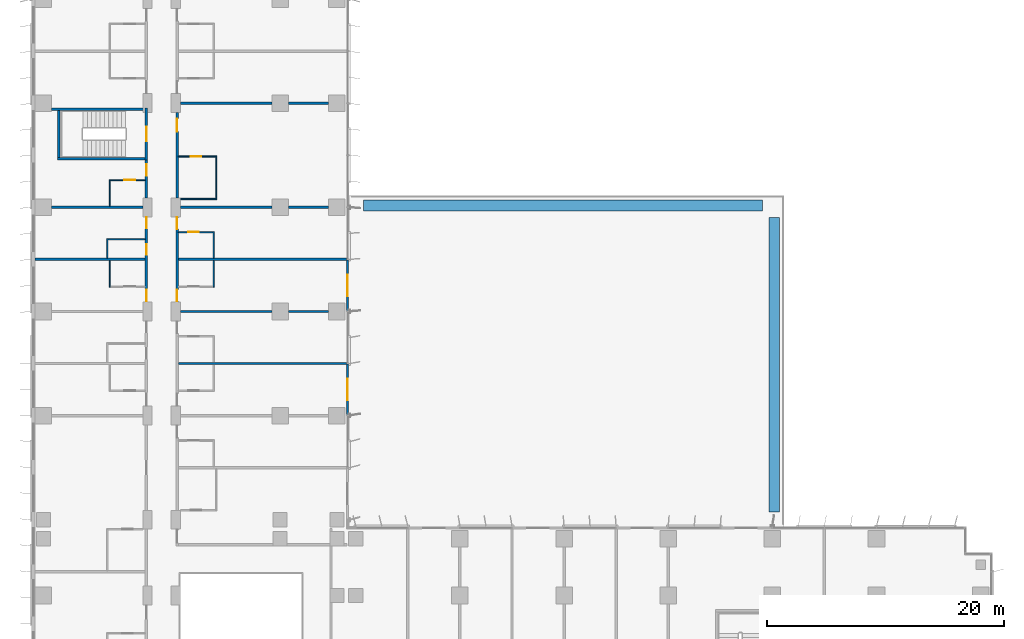
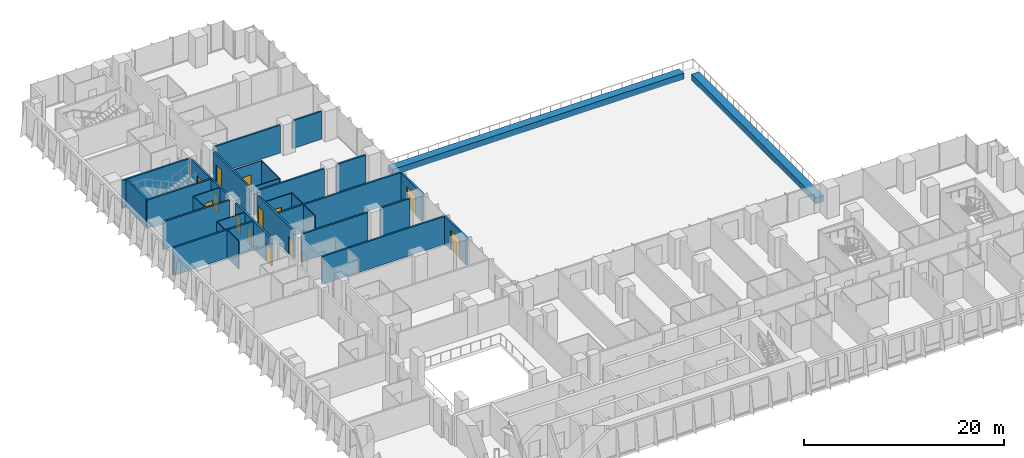
# One storey, part 15 of 23: 33 walls, 13 doors, 13 openings.
"""IFC4 building model written with IfcOpenShell, lengths in metres."""

from ifc_helpers import new_model, si_unit, direction, frame, frame_2d, origin, place, context, subcontext, project, spatial, rectangle, extrude, material, layer, layer_set, type_object, element, fill, save


model = new_model("IFC4")

# Units and contexts
model_context = context("Model", 3, precision=1e-05, world=origin(), true_north=direction((0.0, 1.0)))
body_context = subcontext(model_context, "Body", "Model", "MODEL_VIEW")
ifc_project = project(units=[si_unit("LENGTHUNIT", "METRE"), si_unit("AREAUNIT", "SQUARE_METRE"), si_unit("VOLUMEUNIT", "CUBIC_METRE"), si_unit("PLANEANGLEUNIT", "RADIAN"), si_unit("MASSUNIT", "GRAM", prefix="KILO")], contexts=[model_context])

# Site, building, storey
site_placement = place(None, origin())
site = spatial("IfcSite", under=ifc_project, at=site_placement, CompositionType="ELEMENT")
building_placement = place(site_placement, origin())
building = spatial("IfcBuilding", under=site, at=building_placement, Name="Kemantara Hotel Tower", CompositionType="ELEMENT")
storey_placement = place(building_placement, frame((0.0, 0.0, 34.0)))
storey = spatial("IfcBuildingStorey", under=building, at=storey_placement, Name="L06", CompositionType="ELEMENT", Elevation=34.0)

# Wall, openings, doors
ifc_material_1 = material(Name="Gypsum board partition, steel studs and mineral wool, 200 mm", Category="steel")
ifc_layer_1 = layer(ifc_material_1, 0.199951171875)
ifc_layer_set_1 = layer_set([ifc_layer_1], Name="Gypsum board partition, steel studs and mineral wool, 200 mm")
wall_type_1 = type_object("IfcWallType", Name="CORRIDOR WALL 200", PredefinedType="PARTITIONING", material=ifc_layer_set_1)
wall_1_placement = place(storey_placement, frame((9.699951171875, 45.800048828125, 0.0), z_axis=(0.0, 0.0, 1.0), x_axis=(0.0, 1.0, 0.0)))
wall_1 = element("IfcWall", 1, at=wall_1_placement, inside=storey, type_object=wall_type_1, Name="CORRIDOR WALL 200 035", PredefinedType="PARTITIONING", context=body_context, shape_type="SweptSolid", body=[
    extrude(rectangle(XDim=7.199951171875, YDim=0.199951171875, at=frame_2d((3.60009765625, 0.0))), origin(), (0.0, 0.0, 1.0), 3.39990234375),
])
opening_1_placement = place(wall_1_placement, frame((0.0498046875, 0.0, 0.0)))
opening_1 = element("IfcOpeningElement", 2, at=opening_1_placement, cuts=wall_1, Name="Opening F01-045", PredefinedType="OPENING", context=body_context, shape_type="SweptSolid", body=[
    extrude(rectangle(XDim=1.0, YDim=2.10009765625, at=frame_2d((0.5, 1.050048828125))), frame((0.0, 0.10986328125, 0.0), z_axis=(0.0, -1.0, 0.0), x_axis=(1.0, 0.0, 0.0)), (0.0, 0.0, 1.0), 0.219970703125),
])
opening_2_placement = place(wall_1_placement, frame((6.25, 0.0, 0.0)))
opening_2 = element("IfcOpeningElement", 3, at=opening_2_placement, cuts=wall_1, Name="Opening F01-047", PredefinedType="OPENING", context=body_context, shape_type="SweptSolid", body=[
    extrude(rectangle(XDim=0.89990234375, YDim=2.10009765625, at=frame_2d((0.449951171875, 1.050048828125))), frame((0.0, 0.10986328125, 0.0), z_axis=(0.0, -1.0, 0.0), x_axis=(1.0, 0.0, 0.0)), (0.0, 0.0, 1.0), 0.219970703125),
])
opening_3_placement = place(wall_1_placement, frame((4.0, 0.0, 0.0)))
opening_3 = element("IfcOpeningElement", 4, at=opening_3_placement, cuts=wall_1, Name="Opening F01-048", PredefinedType="OPENING", context=body_context, shape_type="SweptSolid", body=[
    extrude(rectangle(XDim=0.89990234375, YDim=2.10009765625, at=frame_2d((0.449951171875, 1.050048828125))), frame((0.0, 0.10986328125, 0.0), z_axis=(0.0, -1.0, 0.0), x_axis=(1.0, 0.0, 0.0)), (0.0, 0.0, 1.0), 0.219970703125),
])
ifc_material_2 = material(Name="Hardwood veneer door leaf with steel frame", Category="steel")
door_type_1 = type_object("IfcDoorType", Name="GUEST ROOM DOOR 1000 X 2100 FD30S", OperationType="NOTDEFINED", PredefinedType="DOOR", material=ifc_material_2)
door_1_placement = place(opening_1_placement, origin())
door_1 = element("IfcDoor", 5, at=door_1_placement, inside=storey, type_object=door_type_1, Name="GUEST ROOM DOOR F01-045", OperationType="SINGLE_SWING_LEFT", OverallHeight=2.10009765625, OverallWidth=1.0, PredefinedType="DOOR", context=body_context, shape_type="SweptSolid", body=[
    extrude(rectangle(XDim=1.0, YDim=2.10009765625, at=frame_2d((0.5, 1.050048828125))), frame((0.0, 0.02490234375, 0.0), z_axis=(0.0, -1.0, 0.0), x_axis=(1.0, 0.0, 0.0)), (0.0, 0.0, 1.0), 0.050048828125),
])
fill(opening_1, door_1)
ifc_material_3 = material(Name="Steel door leaf with steel frame", Category="steel")
door_type_2 = type_object("IfcDoorType", Name="SERVICE ROOM DOOR 900 X 2100 FD60", OperationType="NOTDEFINED", PredefinedType="DOOR", material=ifc_material_3)
door_2_placement = place(opening_2_placement, origin())
door_2 = element("IfcDoor", 6, at=door_2_placement, inside=storey, type_object=door_type_2, Name="SERVICE ROOM DOOR F01-047", OperationType="SINGLE_SWING_RIGHT", OverallHeight=2.10009765625, OverallWidth=0.89990234375, PredefinedType="DOOR", context=body_context, shape_type="SweptSolid", body=[
    extrude(rectangle(XDim=0.89990234375, YDim=2.10009765625, at=frame_2d((0.449951171875, 1.050048828125))), frame((0.0, 0.02490234375, 0.0), z_axis=(0.0, -1.0, 0.0), x_axis=(1.0, 0.0, 0.0)), (0.0, 0.0, 1.0), 0.050048828125),
])
fill(opening_2, door_2)
door_3_placement = place(opening_3_placement, origin())
door_3 = element("IfcDoor", 7, at=door_3_placement, inside=storey, type_object=door_type_2, Name="SERVICE ROOM DOOR F01-048", OperationType="SINGLE_SWING_LEFT", OverallHeight=2.10009765625, OverallWidth=0.89990234375, PredefinedType="DOOR", context=body_context, shape_type="SweptSolid", body=[
    extrude(rectangle(XDim=0.89990234375, YDim=2.10009765625, at=frame_2d((0.449951171875, 1.050048828125))), frame((0.0, 0.02490234375, 0.0), z_axis=(0.0, -1.0, 0.0), x_axis=(1.0, 0.0, 0.0)), (0.0, 0.0, 1.0), 0.050048828125),
])
fill(opening_3, door_3)

# Wall, opening, door
wall_2_placement = place(storey_placement, frame((9.699951171875, 54.60009765625, 0.0), z_axis=(0.0, 0.0, 1.0), x_axis=(0.0, 1.0, 0.0)))
wall_2 = element("IfcWall", 8, at=wall_2_placement, inside=storey, type_object=wall_type_1, Name="CORRIDOR WALL 200 036", PredefinedType="PARTITIONING", context=body_context, shape_type="SweptSolid", body=[
    extrude(rectangle(XDim=3.199951171875, YDim=0.199951171875, at=frame_2d((1.60009765625, 0.0))), origin(), (0.0, 0.0, 1.0), 3.39990234375),
])
opening_4_placement = place(wall_2_placement, frame((1.849853515625, 0.0, 0.0)))
opening_4 = element("IfcOpeningElement", 9, at=opening_4_placement, cuts=wall_2, Name="Opening F01-049", PredefinedType="OPENING", context=body_context, shape_type="SweptSolid", body=[
    extrude(rectangle(XDim=1.0, YDim=2.10009765625, at=frame_2d((0.5, 1.050048828125))), frame((0.0, 0.10986328125, 0.0), z_axis=(0.0, -1.0, 0.0), x_axis=(1.0, 0.0, 0.0)), (0.0, 0.0, 1.0), 0.219970703125),
])
door_4_placement = place(opening_4_placement, origin())
door_4 = element("IfcDoor", 10, at=door_4_placement, inside=storey, type_object=door_type_1, Name="GUEST ROOM DOOR F01-049", OperationType="SINGLE_SWING_RIGHT", OverallHeight=2.10009765625, OverallWidth=1.0, PredefinedType="DOOR", context=body_context, shape_type="SweptSolid", body=[
    extrude(rectangle(XDim=1.0, YDim=2.10009765625, at=frame_2d((0.5, 1.050048828125))), frame((0.0, 0.02490234375, 0.0), z_axis=(0.0, -1.0, 0.0), x_axis=(1.0, 0.0, 0.0)), (0.0, 0.0, 1.0), 0.050048828125),
])
fill(opening_4, door_4)

# Wall, openings, doors
wall_3_placement = place(storey_placement, frame((12.300048828125, 53.0, 0.0), z_axis=(0.0, 0.0, 1.0), x_axis=(0.0, -1.0, 0.0)))
wall_3 = element("IfcWall", 11, at=wall_3_placement, inside=storey, type_object=wall_type_1, Name="CORRIDOR WALL 200 059", PredefinedType="PARTITIONING", context=body_context, shape_type="SweptSolid", body=[
    extrude(rectangle(XDim=7.199951171875, YDim=0.199951171875, at=frame_2d((3.60009765625, 0.0))), origin(), (0.0, 0.0, 1.0), 3.39990234375),
])
opening_5_placement = place(wall_3_placement, frame((6.14990234375, 0.0, 0.0)))
opening_5 = element("IfcOpeningElement", 12, at=opening_5_placement, cuts=wall_3, Name="Opening F01-065", PredefinedType="OPENING", context=body_context, shape_type="SweptSolid", body=[
    extrude(rectangle(XDim=1.0, YDim=2.10009765625, at=frame_2d((0.5, 1.050048828125))), frame((0.0, 0.10986328125, 0.0), z_axis=(0.0, -1.0, 0.0), x_axis=(1.0, 0.0, 0.0)), (0.0, 0.0, 1.0), 0.219970703125),
])
opening_6_placement = place(wall_3_placement, frame((0.0498046875, 0.0, 0.0)))
opening_6 = element("IfcOpeningElement", 13, at=opening_6_placement, cuts=wall_3, Name="Opening F01-067", PredefinedType="OPENING", context=body_context, shape_type="SweptSolid", body=[
    extrude(rectangle(XDim=1.0, YDim=2.10009765625, at=frame_2d((0.5, 1.050048828125))), frame((0.0, 0.10986328125, 0.0), z_axis=(0.0, -1.0, 0.0), x_axis=(1.0, 0.0, 0.0)), (0.0, 0.0, 1.0), 0.219970703125),
])
door_5_placement = place(opening_5_placement, origin())
door_5 = element("IfcDoor", 14, at=door_5_placement, inside=storey, type_object=door_type_1, Name="GUEST ROOM DOOR F01-065", OperationType="SINGLE_SWING_RIGHT", OverallHeight=2.10009765625, OverallWidth=1.0, PredefinedType="DOOR", context=body_context, shape_type="SweptSolid", body=[
    extrude(rectangle(XDim=1.0, YDim=2.10009765625, at=frame_2d((0.5, 1.050048828125))), frame((0.0, 0.02490234375, 0.0), z_axis=(0.0, -1.0, 0.0), x_axis=(1.0, 0.0, 0.0)), (0.0, 0.0, 1.0), 0.050048828125),
])
fill(opening_5, door_5)
door_6_placement = place(opening_6_placement, origin())
door_6 = element("IfcDoor", 15, at=door_6_placement, inside=storey, type_object=door_type_1, Name="GUEST ROOM DOOR F01-067", OperationType="SINGLE_SWING_LEFT", OverallHeight=2.10009765625, OverallWidth=1.0, PredefinedType="DOOR", context=body_context, shape_type="SweptSolid", body=[
    extrude(rectangle(XDim=1.0, YDim=2.10009765625, at=frame_2d((0.5, 1.050048828125))), frame((0.0, 0.02490234375, 0.0), z_axis=(0.0, -1.0, 0.0), x_axis=(1.0, 0.0, 0.0)), (0.0, 0.0, 1.0), 0.050048828125),
])
fill(opening_6, door_6)

# Wall, opening, door
wall_4_placement = place(storey_placement, frame((12.300048828125, 61.7998046875, 0.0), z_axis=(0.0, 0.0, 1.0), x_axis=(0.0, -1.0, 0.0)))
wall_4 = element("IfcWall", 16, at=wall_4_placement, inside=storey, type_object=wall_type_1, Name="CORRIDOR WALL 200 060", PredefinedType="PARTITIONING", context=body_context, shape_type="SweptSolid", body=[
    extrude(rectangle(XDim=7.19970703125, YDim=0.199951171875, at=frame_2d((3.599853515625, 0.0))), origin(), (0.0, 0.0, 1.0), 3.39990234375),
])
opening_7_placement = place(wall_4_placement, frame((0.5, 0.0, 0.0)))
opening_7 = element("IfcOpeningElement", 17, at=opening_7_placement, cuts=wall_4, Name="Opening F01-069", PredefinedType="OPENING", context=body_context, shape_type="SweptSolid", body=[
    extrude(rectangle(XDim=1.10009765625, YDim=2.10009765625, at=frame_2d((0.550048828125, 1.050048828125))), frame((0.0, 0.10986328125, 0.0), z_axis=(0.0, -1.0, 0.0), x_axis=(1.0, 0.0, 0.0)), (0.0, 0.0, 1.0), 0.219970703125),
])
door_type_3 = type_object("IfcDoorType", Name="SUITE ENTRANCE DOOR 1100 X 2100 FD30S", OperationType="NOTDEFINED", PredefinedType="DOOR", material=ifc_material_2)
door_7_placement = place(opening_7_placement, origin())
door_7 = element("IfcDoor", 18, at=door_7_placement, inside=storey, type_object=door_type_3, Name="SUITE ENTRANCE DOOR F01-069", OperationType="SINGLE_SWING_LEFT", OverallHeight=2.10009765625, OverallWidth=1.10009765625, PredefinedType="DOOR", context=body_context, shape_type="SweptSolid", body=[
    extrude(rectangle(XDim=1.10009765625, YDim=2.10009765625, at=frame_2d((0.550048828125, 1.050048828125))), frame((0.0, 0.02490234375, 0.0), z_axis=(0.0, -1.0, 0.0), x_axis=(1.0, 0.0, 0.0)), (0.0, 0.0, 1.0), 0.050048828125),
])
fill(opening_7, door_7)

ifc_material_4 = material(Name="Concrete fc 40 MPa", Category="concrete")
ifc_layer_2 = layer(ifc_material_4, 0.199951171875)
ifc_layer_set_2 = layer_set([ifc_layer_2], Name="Concrete fc 40 MPa")
wall_type_2 = type_object("IfcWallType", Name="Concrete stair wall 200 mm", PredefinedType="SHEAR", material=ifc_layer_set_2)
wall_5_placement = place(storey_placement, frame((9.699951171875, 57.800048828125, 0.0), z_axis=(0.0, 0.0, 1.0), x_axis=(0.0, 1.0, 0.0)))
wall_5 = element("IfcWall", 19, at=wall_5_placement, inside=storey, type_object=wall_type_2, Name="Stair ST4 enclosure wall with door", PredefinedType="SHEAR", context=body_context, shape_type="SweptSolid", body=[
    extrude(rectangle(XDim=4.39990234375, YDim=0.199951171875, at=frame_2d((2.199951171875, 0.0))), origin(), (0.0, 0.0, 1.0), 3.39990234375),
])
opening_8_placement = place(wall_5_placement, frame((1.60009765625, 0.0, 0.0)))
opening_8 = element("IfcOpeningElement", 20, at=opening_8_placement, cuts=wall_5, Name="Opening ST4-C", PredefinedType="OPENING", context=body_context, shape_type="SweptSolid", body=[
    extrude(rectangle(XDim=1.199951171875, YDim=2.10009765625, at=frame_2d((0.60009765625, 1.050048828125))), frame((0.0, 0.10986328125, 0.0), z_axis=(0.0, -1.0, 0.0), x_axis=(1.0, 0.0, 0.0)), (0.0, 0.0, 1.0), 0.219970703125),
])
ifc_material_5 = material(Name="Steel fire door", Category="steel")
door_type_4 = type_object("IfcDoorType", Name="Fire door FD90 1200 x 2100", OperationType="NOTDEFINED", PredefinedType="DOOR", material=ifc_material_5)
door_8_placement = place(opening_8_placement, origin())
door_8 = element("IfcDoor", 21, at=door_8_placement, inside=storey, type_object=door_type_4, Name="Stair ST4 door", OperationType="SINGLE_SWING_RIGHT", OverallHeight=2.10009765625, OverallWidth=1.199951171875, PredefinedType="DOOR", context=body_context, shape_type="SweptSolid", body=[
    extrude(rectangle(XDim=1.199951171875, YDim=2.10009765625, at=frame_2d((0.60009765625, 1.050048828125))), frame((0.0, 0.02490234375, 0.0), z_axis=(0.0, -1.0, 0.0), x_axis=(1.0, 0.0, 0.0)), (0.0, 0.0, 1.0), 0.050048828125),
])
fill(opening_8, door_8)

# Walls
wall_6_placement = place(storey_placement, frame((1.699951171875, 62.10009765625, 0.0), z_axis=(0.0, 0.0, 1.0), x_axis=(1.0, 0.0, 0.0)))
element("IfcWall", 22, at=wall_6_placement, inside=storey, type_object=wall_type_2, Name="Stair ST4 enclosure wall N", PredefinedType="SHEAR", context=body_context, shape_type="SweptSolid", body=[
    extrude(rectangle(XDim=7.900146484375, YDim=0.199951171875, at=frame_2d((3.9501953125, 0.0))), origin(), (0.0, 0.0, 1.0), 3.39990234375),
])
wall_7_placement = place(storey_placement, frame((2.199951171875, 57.89990234375, 0.0), z_axis=(0.0, 0.0, 1.0), x_axis=(1.0, 0.0, 0.0)))
element("IfcWall", 23, at=wall_7_placement, inside=storey, type_object=wall_type_2, Name="Stair ST4 enclosure wall S", PredefinedType="SHEAR", context=body_context, shape_type="SweptSolid", body=[
    extrude(rectangle(XDim=7.400146484375, YDim=0.199951171875, at=frame_2d((3.7001953125, 0.0))), origin(), (0.0, 0.0, 1.0), 3.39990234375),
])
wall_8_placement = place(storey_placement, frame((2.300048828125, 58.0, 0.0), z_axis=(0.0, 0.0, 1.0), x_axis=(0.0, 1.0, 0.0)))
element("IfcWall", 24, at=wall_8_placement, inside=storey, type_object=wall_type_2, Name="Stair ST4 enclosure wall W", PredefinedType="SHEAR", context=body_context, shape_type="SweptSolid", body=[
    extrude(rectangle(XDim=4.0, YDim=0.199951171875, at=frame_2d((2.0, 0.0))), origin(), (0.0, 0.0, 1.0), 3.39990234375),
])
ifc_layer_3 = layer(ifc_material_1, 0.199951171875)
ifc_layer_set_3 = layer_set([ifc_layer_3], Name="Gypsum board partition, steel studs and mineral wool, 200 mm")
wall_type_3 = type_object("IfcWallType", Name="GUEST ROOM PARTY WALL 200", PredefinedType="PARTITIONING", material=ifc_layer_set_3)
wall_9_placement = place(storey_placement, frame((12.39990234375, 40.60009765625, 0.0), z_axis=(0.0, 0.0, 1.0), x_axis=(1.0, 0.0, 0.0)))
element("IfcWall", 25, at=wall_9_placement, inside=storey, type_object=wall_type_3, Name="GUEST ROOM PARTY WALL 200 045", PredefinedType="PARTITIONING", context=body_context, shape_type="SweptSolid", body=[
    extrude(rectangle(XDim=14.199951171875, YDim=0.199951171875, at=frame_2d((7.10009765625, 0.0))), origin(), (0.0, 0.0, 1.0), 3.39990234375),
])
wall_10_placement = place(storey_placement, frame((12.60009765625, 45.0, 0.0), z_axis=(0.0, 0.0, 1.0), x_axis=(1.0, 0.0, 0.0)))
element("IfcWall", 26, at=wall_10_placement, inside=storey, type_object=wall_type_3, Name="GUEST ROOM PARTY WALL 200 047", PredefinedType="PARTITIONING", context=body_context, shape_type="SweptSolid", body=[
    extrude(rectangle(XDim=7.69970703125, YDim=0.199951171875, at=frame_2d((3.849853515625, 0.0))), origin(), (0.0, 0.0, 1.0), 3.39990234375),
])
wall_11_placement = place(storey_placement, frame((21.7001953125, 45.0, 0.0), z_axis=(0.0, 0.0, 1.0), x_axis=(1.0, 0.0, 0.0)))
element("IfcWall", 27, at=wall_11_placement, inside=storey, type_object=wall_type_3, Name="GUEST ROOM PARTY WALL 200 048", PredefinedType="PARTITIONING", context=body_context, shape_type="SweptSolid", body=[
    extrude(rectangle(XDim=3.399658203125, YDim=0.199951171875, at=frame_2d((1.69970703125, 0.0))), origin(), (0.0, 0.0, 1.0), 3.39990234375),
])
wall_12_placement = place(storey_placement, frame((0.31005859375, 49.39990234375, 0.0), z_axis=(0.0, 0.0, 1.0), x_axis=(1.0, 0.0, 0.0)))
element("IfcWall", 28, at=wall_12_placement, inside=storey, type_object=wall_type_3, Name="GUEST ROOM PARTY WALL 200 049", PredefinedType="PARTITIONING", context=body_context, shape_type="SweptSolid", body=[
    extrude(rectangle(XDim=9.2900390625, YDim=0.199951171875, at=frame_2d((4.64501953125, 0.0))), origin(), (0.0, 0.0, 1.0), 3.39990234375),
])
wall_13_placement = place(storey_placement, frame((12.39990234375, 49.39990234375, 0.0), z_axis=(0.0, 0.0, 1.0), x_axis=(1.0, 0.0, 0.0)))
element("IfcWall", 29, at=wall_13_placement, inside=storey, type_object=wall_type_3, Name="GUEST ROOM PARTY WALL 200 050", PredefinedType="PARTITIONING", context=body_context, shape_type="SweptSolid", body=[
    extrude(rectangle(XDim=14.199951171875, YDim=0.199951171875, at=frame_2d((7.10009765625, 0.0))), origin(), (0.0, 0.0, 1.0), 3.39990234375),
])
for number, where, z_axis, x_axis, name in (
    (30, (1.7001953125, 53.800048828125, 0.0), (0.0, 0.0, 1.0), (1.0, 0.0, 0.0), "GUEST ROOM PARTY WALL 200 051"),
    (31, (12.60009765625, 53.800048828125, 0.0), (0.0, 0.0, 1.0), (1.0, 0.0, 0.0), "GUEST ROOM PARTY WALL 200 052"),
):
    element("IfcWall", number, at=place(storey_placement, frame(where, z_axis=z_axis, x_axis=x_axis)), inside=storey, type_object=wall_type_3, Name=name, PredefinedType="PARTITIONING", context=body_context, shape_type="SweptSolid", body=[
        extrude(rectangle(XDim=7.69970703125, YDim=0.199951171875, at=frame_2d((3.849853515625, 0.0))), origin(), (0.0, 0.0, 1.0), 3.39990234375),
    ])
wall_14_placement = place(storey_placement, frame((21.7001953125, 53.800048828125, 0.0), z_axis=(0.0, 0.0, 1.0), x_axis=(1.0, 0.0, 0.0)))
element("IfcWall", 32, at=wall_14_placement, inside=storey, type_object=wall_type_3, Name="GUEST ROOM PARTY WALL 200 053", PredefinedType="PARTITIONING", context=body_context, shape_type="SweptSolid", body=[
    extrude(rectangle(XDim=3.399658203125, YDim=0.199951171875, at=frame_2d((1.69970703125, 0.0))), origin(), (0.0, 0.0, 1.0), 3.39990234375),
])
wall_15_placement = place(storey_placement, frame((12.60009765625, 62.60009765625, 0.0), z_axis=(0.0, 0.0, 1.0), x_axis=(1.0, 0.0, 0.0)))
element("IfcWall", 33, at=wall_15_placement, inside=storey, type_object=wall_type_3, Name="GUEST ROOM PARTY WALL 200 067", PredefinedType="PARTITIONING", context=body_context, shape_type="SweptSolid", body=[
    extrude(rectangle(XDim=7.69970703125, YDim=0.199951171875, at=frame_2d((3.849853515625, 0.0))), origin(), (0.0, 0.0, 1.0), 3.39990234375),
])
wall_16_placement = place(storey_placement, frame((21.7001953125, 62.60009765625, 0.0), z_axis=(0.0, 0.0, 1.0), x_axis=(1.0, 0.0, 0.0)))
element("IfcWall", 34, at=wall_16_placement, inside=storey, type_object=wall_type_3, Name="GUEST ROOM PARTY WALL 200 068", PredefinedType="PARTITIONING", context=body_context, shape_type="SweptSolid", body=[
    extrude(rectangle(XDim=3.399658203125, YDim=0.199951171875, at=frame_2d((1.69970703125, 0.0))), origin(), (0.0, 0.0, 1.0), 3.39990234375),
])
ifc_material_6 = material(Name="Concrete K-350 (fc 29 MPa)", Category="concrete")
ifc_layer_4 = layer(ifc_material_6, 0.89990234375)
ifc_layer_set_4 = layer_set([ifc_layer_4], Name="Concrete K-350 (fc 29 MPa)")
wall_type_4 = type_object("IfcWallType", Name="PLANTER, RAISED CONCRETE TROUGH 900x700", PredefinedType="STANDARD", material=ifc_layer_set_4)
wall_17_placement = place(storey_placement, frame((28.050048828125, 53.949951171875, -0.050048828125), z_axis=(0.0, 0.0, 1.0), x_axis=(1.0, 0.0, 0.0)))
element("IfcWall", 35, at=wall_17_placement, inside=storey, type_object=wall_type_4, Name="PLANTER TERRACE-PODIUM-1.1", PredefinedType="STANDARD", context=body_context, shape_type="SweptSolid", body=[
    extrude(rectangle(XDim=33.699951171875, YDim=0.89990234375, at=frame_2d((16.85009765625, 0.0))), origin(), (0.0, 0.0, 1.0), 0.75),
])
wall_18_placement = place(storey_placement, frame((62.75, 52.949951171875, -0.050048828125), z_axis=(0.0, 0.0, 1.0), x_axis=(0.0, -1.0, 0.0)))
element("IfcWall", 36, at=wall_18_placement, inside=storey, type_object=wall_type_4, Name="PLANTER TERRACE-PODIUM-1.2", PredefinedType="STANDARD", context=body_context, shape_type="SweptSolid", body=[
    extrude(rectangle(XDim=24.89990234375, YDim=0.89990234375, at=frame_2d((12.449951171875, 0.0))), origin(), (0.0, 0.0, 1.0), 0.75),
])
ifc_material_7 = material(Name="Gypsum board partition on steel studs, 100 mm", Category="steel")
ifc_layer_5 = layer(ifc_material_7, 0.10009765625)
ifc_layer_set_5 = layer_set([ifc_layer_5], Name="Gypsum board partition on steel studs, 100 mm")
wall_type_5 = type_object("IfcWallType", Name="ROOM PARTITION 100", PredefinedType="PARTITIONING", material=ifc_layer_set_5)
wall_19_placement = place(storey_placement, frame((6.39990234375, 49.5, 0.0), z_axis=(0.0, 0.0, 1.0), x_axis=(0.0, 1.0, 0.0)))
element("IfcWall", 37, at=wall_19_placement, inside=storey, type_object=wall_type_5, Name="ROOM PARTITION 100 113", PredefinedType="PARTITIONING", context=body_context, shape_type="SweptSolid", body=[
    extrude(rectangle(XDim=1.64990234375, YDim=0.10009765625, at=frame_2d((0.824951171875, 0.0))), origin(), (0.0, 0.0, 1.0), 3.39990234375),
])
for number, where, z_axis, x_axis, name in (
    (38, (6.60009765625, 47.050048828125, 0.0), (0.0, 0.0, 1.0), (0.0, 1.0, 0.0), "ROOM PARTITION 100 117"),
    (39, (6.60009765625, 53.89990234375, 0.0), (0.0, 0.0, 1.0), (0.0, 1.0, 0.0), "ROOM PARTITION 100 118"),
):
    element("IfcWall", number, at=place(storey_placement, frame(where, z_axis=z_axis, x_axis=x_axis)), inside=storey, type_object=wall_type_5, Name=name, PredefinedType="PARTITIONING", context=body_context, shape_type="SweptSolid", body=[
        extrude(rectangle(XDim=2.25, YDim=0.10009765625, at=frame_2d((1.125, 0.0))), origin(), (0.0, 0.0, 1.0), 3.39990234375),
    ])
wall_20_placement = place(storey_placement, frame((6.449951171875, 51.10009765625, 0.0), z_axis=(0.0, 0.0, 1.0), x_axis=(1.0, 0.0, 0.0)))
element("IfcWall", 40, at=wall_20_placement, inside=storey, type_object=wall_type_5, Name="ROOM PARTITION 100 126", PredefinedType="PARTITIONING", context=body_context, shape_type="SweptSolid", body=[
    extrude(rectangle(XDim=3.150146484375, YDim=0.10009765625, at=frame_2d((1.5751953125, 0.0))), origin(), (0.0, 0.0, 1.0), 3.39990234375),
])

# Wall, opening, door
wall_21_placement = place(storey_placement, frame((9.60009765625, 56.10009765625, 0.0), z_axis=(0.0, 0.0, 1.0), x_axis=(-1.0, 0.0, 0.0)))
wall_21 = element("IfcWall", 41, at=wall_21_placement, inside=storey, type_object=wall_type_5, Name="ROOM PARTITION 100 127", PredefinedType="PARTITIONING", context=body_context, shape_type="SweptSolid", body=[
    extrude(rectangle(XDim=2.9501953125, YDim=0.10009765625, at=frame_2d((1.47509765625, 0.0))), origin(), (0.0, 0.0, 1.0), 3.39990234375),
])
opening_9_placement = place(wall_21_placement, frame((0.85009765625, 0.0, 0.0)))
opening_9 = element("IfcOpeningElement", 42, at=opening_9_placement, cuts=wall_21, Name="Opening F01-050", PredefinedType="OPENING", context=body_context, shape_type="SweptSolid", body=[
    extrude(rectangle(XDim=0.89990234375, YDim=2.10009765625, at=frame_2d((0.449951171875, 1.050048828125))), frame((0.0, 0.06005859375, 0.0), z_axis=(0.0, -1.0, 0.0), x_axis=(1.0, 0.0, 0.0)), (0.0, 0.0, 1.0), 0.1201171875),
])
door_type_5 = type_object("IfcDoorType", Name="BATHROOM DOOR 900 X 2100", OperationType="NOTDEFINED", PredefinedType="DOOR", material=ifc_material_2)
door_9_placement = place(opening_9_placement, origin())
door_9 = element("IfcDoor", 43, at=door_9_placement, inside=storey, type_object=door_type_5, Name="BATHROOM DOOR F01-050", OperationType="SINGLE_SWING_LEFT", OverallHeight=2.10009765625, OverallWidth=0.89990234375, PredefinedType="DOOR", context=body_context, shape_type="SweptSolid", body=[
    extrude(rectangle(XDim=0.89990234375, YDim=2.10009765625, at=frame_2d((0.449951171875, 1.050048828125))), frame((0.0, 0.02490234375, 0.0), z_axis=(0.0, -1.0, 0.0), x_axis=(1.0, 0.0, 0.0)), (0.0, 0.0, 1.0), 0.050048828125),
])
fill(opening_9, door_9)

# Walls
wall_22_placement = place(storey_placement, frame((15.60009765625, 54.449951171875, 0.0), z_axis=(0.0, 0.0, 1.0), x_axis=(0.0, 1.0, 0.0)))
element("IfcWall", 44, at=wall_22_placement, inside=storey, type_object=wall_type_5, Name="ROOM PARTITION 100 134", PredefinedType="PARTITIONING", context=body_context, shape_type="SweptSolid", body=[
    extrude(rectangle(XDim=3.699951171875, YDim=0.10009765625, at=frame_2d((1.85009765625, 0.0))), origin(), (0.0, 0.0, 1.0), 3.39990234375),
])
for number, where, z_axis, x_axis, name in (
    (45, (15.39990234375, 47.050048828125, 0.0), (0.0, 0.0, 1.0), (0.0, 1.0, 0.0), "ROOM PARTITION 100 139"),
    (46, (15.39990234375, 49.5, 0.0), (0.0, 0.0, 1.0), (0.0, 1.0, 0.0), "ROOM PARTITION 100 140"),
):
    element("IfcWall", number, at=place(storey_placement, frame(where, z_axis=z_axis, x_axis=x_axis)), inside=storey, type_object=wall_type_5, Name=name, PredefinedType="PARTITIONING", context=body_context, shape_type="SweptSolid", body=[
        extrude(rectangle(XDim=2.25, YDim=0.10009765625, at=frame_2d((1.125, 0.0))), origin(), (0.0, 0.0, 1.0), 3.39990234375),
    ])

# Wall, opening, door
wall_23_placement = place(storey_placement, frame((15.35009765625, 51.699951171875, 0.0), z_axis=(0.0, 0.0, 1.0), x_axis=(-1.0, 0.0, 0.0)))
wall_23 = element("IfcWall", 47, at=wall_23_placement, inside=storey, type_object=wall_type_5, Name="ROOM PARTITION 100 145", PredefinedType="PARTITIONING", context=body_context, shape_type="SweptSolid", body=[
    extrude(rectangle(XDim=2.9501953125, YDim=0.10009765625, at=frame_2d((1.47509765625, 0.0))), origin(), (0.0, 0.0, 1.0), 3.39990234375),
])
opening_10_placement = place(wall_23_placement, frame((1.199951171875, 0.0, 0.0)))
opening_10 = element("IfcOpeningElement", 48, at=opening_10_placement, cuts=wall_23, Name="Opening F01-068", PredefinedType="OPENING", context=body_context, shape_type="SweptSolid", body=[
    extrude(rectangle(XDim=0.89990234375, YDim=2.10009765625, at=frame_2d((0.449951171875, 1.050048828125))), frame((0.0, 0.06005859375, 0.0), z_axis=(0.0, -1.0, 0.0), x_axis=(1.0, 0.0, 0.0)), (0.0, 0.0, 1.0), 0.1201171875),
])
door_10_placement = place(opening_10_placement, origin())
door_10 = element("IfcDoor", 49, at=door_10_placement, inside=storey, type_object=door_type_5, Name="BATHROOM DOOR F01-068", OperationType="SINGLE_SWING_RIGHT", OverallHeight=2.10009765625, OverallWidth=0.89990234375, PredefinedType="DOOR", context=body_context, shape_type="SweptSolid", body=[
    extrude(rectangle(XDim=0.89990234375, YDim=2.10009765625, at=frame_2d((0.449951171875, 1.050048828125))), frame((0.0, 0.02490234375, 0.0), z_axis=(0.0, -1.0, 0.0), x_axis=(1.0, 0.0, 0.0)), (0.0, 0.0, 1.0), 0.050048828125),
])
fill(opening_10, door_10)

# Wall
wall_24_placement = place(storey_placement, frame((12.60009765625, 54.5, 0.0), z_axis=(0.0, 0.0, 1.0), x_axis=(1.0, 0.0, 0.0)))
element("IfcWall", 50, at=wall_24_placement, inside=storey, type_object=wall_type_5, Name="ROOM PARTITION 100 146", PredefinedType="PARTITIONING", context=body_context, shape_type="SweptSolid", body=[
    extrude(rectangle(XDim=2.949951171875, YDim=0.10009765625, at=frame_2d((1.47509765625, 0.0))), origin(), (0.0, 0.0, 1.0), 3.39990234375),
])

# Wall, opening, door
wall_25_placement = place(storey_placement, frame((15.550048828125, 58.10009765625, 0.0), z_axis=(0.0, 0.0, 1.0), x_axis=(-1.0, 0.0, 0.0)))
wall_25 = element("IfcWall", 51, at=wall_25_placement, inside=storey, type_object=wall_type_5, Name="ROOM PARTITION 100 147", PredefinedType="PARTITIONING", context=body_context, shape_type="SweptSolid", body=[
    extrude(rectangle(XDim=3.150146484375, YDim=0.10009765625, at=frame_2d((1.5751953125, 0.0))), origin(), (0.0, 0.0, 1.0), 3.39990234375),
])
opening_11_placement = place(wall_25_placement, frame((1.199951171875, 0.0, 0.0)))
opening_11 = element("IfcOpeningElement", 52, at=opening_11_placement, cuts=wall_25, Name="Opening F01-070", PredefinedType="OPENING", context=body_context, shape_type="SweptSolid", body=[
    extrude(rectangle(XDim=0.89990234375, YDim=2.10009765625, at=frame_2d((0.449951171875, 1.050048828125))), frame((0.0, 0.06005859375, 0.0), z_axis=(0.0, -1.0, 0.0), x_axis=(1.0, 0.0, 0.0)), (0.0, 0.0, 1.0), 0.1201171875),
])
door_11_placement = place(opening_11_placement, origin())
door_11 = element("IfcDoor", 53, at=door_11_placement, inside=storey, type_object=door_type_5, Name="BATHROOM DOOR F01-070", OperationType="SINGLE_SWING_RIGHT", OverallHeight=2.10009765625, OverallWidth=0.89990234375, PredefinedType="DOOR", context=body_context, shape_type="SweptSolid", body=[
    extrude(rectangle(XDim=0.89990234375, YDim=2.10009765625, at=frame_2d((0.449951171875, 1.050048828125))), frame((0.0, 0.02490234375, 0.0), z_axis=(0.0, -1.0, 0.0), x_axis=(1.0, 0.0, 0.0)), (0.0, 0.0, 1.0), 0.050048828125),
])
fill(opening_11, door_11)

ifc_material_8 = material(Name="Bronze ceramic cladding on insulated steel stud wall", Category="steel")
ifc_layer_6 = layer(ifc_material_8, 0.199951171875)
ifc_layer_set_6 = layer_set([ifc_layer_6], Name="Bronze ceramic cladding on insulated steel stud wall")
wall_type_6 = type_object("IfcWallType", Name="TERRACE DOOR BAY WALL 200", PredefinedType="STANDARD", material=ifc_layer_set_6)
wall_26_placement = place(storey_placement, frame((26.699951171875, 36.22998046875, 0.0), z_axis=(0.0, 0.0, 1.0), x_axis=(0.0, 1.0, 0.0)))
wall_26 = element("IfcWall", 54, at=wall_26_placement, inside=storey, type_object=wall_type_6, Name="TERRACE DOOR BAY WALL L06 T1-R08-2", PredefinedType="STANDARD", context=body_context, shape_type="SweptSolid", body=[
    extrude(rectangle(XDim=4.340087890625, YDim=0.199951171875, at=frame_2d((2.169921875, 0.0))), origin(), (0.0, 0.0, 1.0), 3.39990234375),
])
opening_12_placement = place(wall_26_placement, frame((1.27001953125, 0.0, 0.0)))
opening_12 = element("IfcOpeningElement", 55, at=opening_12_placement, cuts=wall_26, Name="Opening TD-L06-02", PredefinedType="OPENING", context=body_context, shape_type="SweptSolid", body=[
    extrude(rectangle(XDim=1.800048828125, YDim=2.39990234375, at=frame_2d((0.89990234375, 1.199951171875))), frame((0.0, 0.10986328125, 0.0), z_axis=(0.0, -1.0, 0.0), x_axis=(1.0, 0.0, 0.0)), (0.0, 0.0, 1.0), 0.219970703125),
])
ifc_material_9 = material(Name="Toughened tinted glass in bronze anodised aluminium frame", Category="aluminium")
door_type_6 = type_object("IfcDoorType", Name="TERRACE DOOR, DOUBLE LEAF GLAZED 1800x2400", OperationType="DOUBLE_DOOR_SINGLE_SWING", PredefinedType="DOOR", material=ifc_material_9)
door_12_placement = place(opening_12_placement, origin())
door_12 = element("IfcDoor", 56, at=door_12_placement, inside=storey, type_object=door_type_6, Name="TERRACE DOOR L06 T1-R08-2", OperationType="SINGLE_SWING_LEFT", OverallHeight=2.39990234375, OverallWidth=1.800048828125, PredefinedType="DOOR", context=body_context, shape_type="SweptSolid", body=[
    extrude(rectangle(XDim=1.800048828125, YDim=2.39990234375, at=frame_2d((0.89990234375, 1.199951171875))), frame((0.0, 0.02490234375, 0.0), z_axis=(0.0, -1.0, 0.0), x_axis=(1.0, 0.0, 0.0)), (0.0, 0.0, 1.0), 0.050048828125),
])
fill(opening_12, door_12)

wall_27_placement = place(storey_placement, frame((26.699951171875, 45.030029296875, 0.0), z_axis=(0.0, 0.0, 1.0), x_axis=(0.0, 1.0, 0.0)))
wall_27 = element("IfcWall", 57, at=wall_27_placement, inside=storey, type_object=wall_type_6, Name="TERRACE DOOR BAY WALL L06 T1-R08-3", PredefinedType="STANDARD", context=body_context, shape_type="SweptSolid", body=[
    extrude(rectangle(XDim=4.340087890625, YDim=0.199951171875, at=frame_2d((2.169921875, 0.0))), origin(), (0.0, 0.0, 1.0), 3.39990234375),
])
opening_13_placement = place(wall_27_placement, frame((1.27001953125, 0.0, 0.0)))
opening_13 = element("IfcOpeningElement", 58, at=opening_13_placement, cuts=wall_27, Name="Opening TD-L06-03", PredefinedType="OPENING", context=body_context, shape_type="SweptSolid", body=[
    extrude(rectangle(XDim=1.800048828125, YDim=2.39990234375, at=frame_2d((0.89990234375, 1.199951171875))), frame((0.0, 0.10986328125, 0.0), z_axis=(0.0, -1.0, 0.0), x_axis=(1.0, 0.0, 0.0)), (0.0, 0.0, 1.0), 0.219970703125),
])
door_13_placement = place(opening_13_placement, origin())
door_13 = element("IfcDoor", 59, at=door_13_placement, inside=storey, type_object=door_type_6, Name="TERRACE DOOR L06 T1-R08-3", OperationType="SINGLE_SWING_LEFT", OverallHeight=2.39990234375, OverallWidth=1.800048828125, PredefinedType="DOOR", context=body_context, shape_type="SweptSolid", body=[
    extrude(rectangle(XDim=1.800048828125, YDim=2.39990234375, at=frame_2d((0.89990234375, 1.199951171875))), frame((0.0, 0.02490234375, 0.0), z_axis=(0.0, -1.0, 0.0), x_axis=(1.0, 0.0, 0.0)), (0.0, 0.0, 1.0), 0.050048828125),
])
fill(opening_13, door_13)

save(model, "model.ifc")
